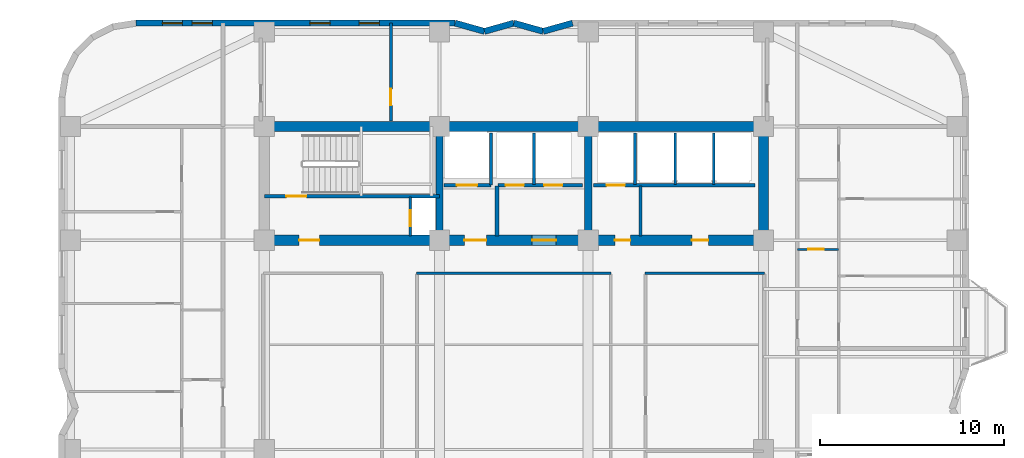
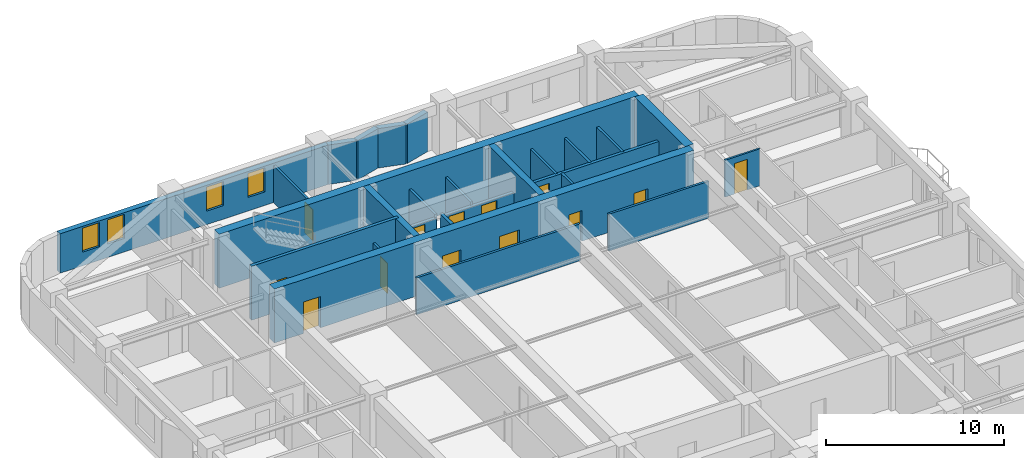
# One storey, part 6 of 9: 26 walls, 13 doors, 4 windows, 17 openings.
"""IFC4 building model written with IfcOpenShell, lengths in metres."""

import ifcopenshell
import ifcopenshell.guid

model = None  # the IFC model being written
_history = None  # IfcOwnerHistory: only IFC2X3 demands one
_inside = {}  # id of a spatial element -> (the spatial element, [elements in it])
_under = {}  # id of a project, library or spatial element -> (it, [spatial elements below it])
_declared = {}  # id of a project -> (the project, [libraries it declares])
_typed = {}  # id of a type object -> (the type object, [elements of that type])
_made_of = {}  # id of a material, layer set ... -> (it, [elements and type objects made of it])


def new_model(schema):
    """Start an empty IFC model of exactly this schema.

    Asked for "IFC4X3", IfcOpenShell would pick the latest addendum, in which some entities
    have other attributes; the version numbers below select the first issue.
    IFC2X3 requires an IfcOwnerHistory on every rooted entity: one is made here for all.
    """
    global model, _history
    if schema == "IFC4X3":
        model = ifcopenshell.file(schema_version=(4, 3, 0, 0))
    else:
        model = ifcopenshell.file(schema=schema)
    _inside.clear()
    _under.clear()
    _declared.clear()
    _typed.clear()
    _made_of.clear()
    _history = None
    if model.schema == "IFC2X3":
        org = make("IfcOrganization", Name="unknown")
        user = make(
            "IfcPersonAndOrganization",
            ThePerson=make("IfcPerson", FamilyName="unknown"),
            TheOrganization=org,
        )
        app = make(
            "IfcApplication",
            ApplicationDeveloper=org,
            Version="unknown",
            ApplicationFullName="unknown",
            ApplicationIdentifier="unknown",
        )
        _history = make(
            "IfcOwnerHistory",
            OwningUser=user,
            OwningApplication=app,
            ChangeAction="ADDED",
            CreationDate=0,
        )
    return model


def make(cls, **values):
    """One entity of the class cls with the attributes given. An attribute that is None is left unset."""
    return model.create_entity(
        cls, **{name: value for name, value in values.items() if value is not None}
    )


def rooted(cls, **values):
    """An entity with a GlobalId (a new one), such as an element, a storey or a relation."""
    return make(cls, GlobalId=ifcopenshell.guid.new(), OwnerHistory=_history, **values)


def si_unit(unit_type, name, prefix=None):
    """IfcSIUnit, for example si_unit("LENGTHUNIT", "METRE", prefix="MILLI")."""
    return make("IfcSIUnit", UnitType=unit_type, Prefix=prefix, Name=name)


def assignment(units):
    """IfcUnitAssignment: the units of a project."""
    return None if units is None else make("IfcUnitAssignment", Units=units)


def point(xyz):
    """IfcCartesianPoint."""
    return None if xyz is None else make("IfcCartesianPoint", Coordinates=xyz)


def direction(xyz):
    """IfcDirection."""
    return None if xyz is None else make("IfcDirection", DirectionRatios=xyz)


def frame(location, z_axis=None, x_axis=None):
    """IfcAxis2Placement3D, a coordinate frame: its origin and axes. An axis left out is left unset."""
    return make(
        "IfcAxis2Placement3D",
        Location=point(location),
        Axis=direction(z_axis),
        RefDirection=direction(x_axis),
    )


def frame_2d(location, x_axis=None):
    """IfcAxis2Placement2D, a coordinate frame in the plane: its origin and x axis."""
    return make(
        "IfcAxis2Placement2D", Location=point(location), RefDirection=direction(x_axis)
    )


def origin():
    """The frame at (0, 0, 0) with its axes left unset."""
    return frame((0.0, 0.0, 0.0))


def place(relative_to, where):
    """IfcLocalPlacement: puts the frame where relative to a parent placement (None: the world)."""
    return make(
        "IfcLocalPlacement", PlacementRelTo=relative_to, RelativePlacement=where
    )


def context(
    kind, dimensions, precision=None, world=None, true_north=None, identifier=None
):
    """IfcGeometricRepresentationContext, for example the 3D "Model" context."""
    return make(
        "IfcGeometricRepresentationContext",
        ContextIdentifier=identifier,
        ContextType=kind,
        CoordinateSpaceDimension=dimensions,
        Precision=precision,
        WorldCoordinateSystem=world,
        TrueNorth=true_north,
    )


def subcontext(parent, identifier, kind, view, scale=None):
    """IfcGeometricRepresentationSubContext, for example "Body" below "Model"."""
    return make(
        "IfcGeometricRepresentationSubContext",
        ContextIdentifier=identifier,
        ContextType=kind,
        ParentContext=parent,
        TargetScale=scale,
        TargetView=view,
    )


def project(units=None, contexts=None):
    """IfcProject with its units and contexts."""
    return rooted(
        "IfcProject",
        Name="project",
        RepresentationContexts=contexts,
        UnitsInContext=assignment(units),
    )


def spatial(cls, under=None, at=None, **own):
    """A site, building, storey or space (cls), placed at a placement, below another one or the project."""
    s = rooted(cls, ObjectPlacement=at, **own)
    if under is not None:
        _under.setdefault(under.id(), (under, []))[1].append(s)
    return s


def profile(cls, at=None, kind="AREA", **sizes):
    """A parametric profile (cls). Its sizes go by their IFC names, for example OverallWidth=200.0."""
    return make(cls, ProfileType=kind, Position=at, **sizes)


def rectangle(**sizes):
    """IfcRectangleProfileDef."""
    return profile("IfcRectangleProfileDef", **sizes)


def extrude(swept, where, along, depth):
    """IfcExtrudedAreaSolid: the profile swept, set in the frame where, extruded along a direction by depth."""
    return make(
        "IfcExtrudedAreaSolid",
        SweptArea=swept,
        Position=where,
        ExtrudedDirection=direction(along),
        Depth=depth,
    )


def shape(context_of_items, identifier, shape_type, items):
    """IfcShapeRepresentation: the items that make up one representation, for example the "Body"."""
    return make(
        "IfcShapeRepresentation",
        ContextOfItems=context_of_items,
        RepresentationIdentifier=identifier,
        RepresentationType=shape_type,
        Items=items,
    )


def material(Name=None, Category=None):
    """IfcMaterial."""
    return make("IfcMaterial", Name=Name, Category=Category)


def layer(
    of_material, thickness, ventilated=None, Name=None, Category=None, Priority=None
):
    """IfcMaterialLayer: one layer of a wall or slab, of a material (None: an air gap)."""
    return make(
        "IfcMaterialLayer",
        Material=of_material,
        LayerThickness=thickness,
        IsVentilated=ventilated,
        Name=Name,
        Category=Category,
        Priority=Priority,
    )


def layer_set(layers, Name=None):
    """IfcMaterialLayerSet."""
    return make("IfcMaterialLayerSet", MaterialLayers=layers, LayerSetName=Name)


def made_of(thing, what):
    """Note that an element or type object is made of a material, layer set ...; save() writes the relation."""
    if what is not None:
        _made_of.setdefault(what.id(), (what, []))[1].append(thing)
    return thing


def type_object(cls, material=None, **own):
    """A type object (cls), such as IfcWallType, which elements share."""
    return made_of(rooted(cls, **own), material)


def element(
    cls,
    number,
    at=None,
    inside=None,
    cuts=None,
    type_object=None,
    material=None,
    context=None,
    identifier="Body",
    shape_type=None,
    held_by="IfcProductDefinitionShape",
    body=None,
    shapes=None,
    **own,
):
    """One element of the class cls, such as IfcWall. Its Tag is "e" and its number.

    at: its placement. inside: the storey or other place that contains it. cuts: it is an
    opening in that element (IfcRelVoidsElement). A single representation is given by context,
    identifier, shape_type and body (its items); several are given by shapes. held_by: the class
    of the entity that holds the representations. save() writes the other relations.
    """
    e = rooted(cls, Tag="e%d" % number, ObjectPlacement=at, **own)
    if body is not None:
        shapes = [shape(context, identifier, shape_type, body)]
    if shapes is not None:
        e.Representation = make(held_by, Representations=shapes)
    if inside is not None:
        _inside.setdefault(inside.id(), (inside, []))[1].append(e)
    if cuts is not None:
        rooted(
            "IfcRelVoidsElement", RelatingBuildingElement=cuts, RelatedOpeningElement=e
        )
    if type_object is not None:
        _typed.setdefault(type_object.id(), (type_object, []))[1].append(e)
    return made_of(e, material)


def fill(opening, filler):
    """IfcRelFillsElement: the door or window that sits in an opening."""
    return rooted(
        "IfcRelFillsElement",
        RelatingOpeningElement=opening,
        RelatedBuildingElement=filler,
    )


def aggregate(whole, parts):
    """IfcRelAggregates: a whole, such as a stair, and the parts it consists of."""
    return rooted("IfcRelAggregates", RelatingObject=whole, RelatedObjects=parts)


def save(model, path):
    """Write the relations noted so far, then the file.

    IfcRelAggregates (storeys below a building ...), IfcRelContainedInSpatialStructure (elements
    in a storey), IfcRelDefinesByType, IfcRelAssociatesMaterial and IfcRelDeclares: one each for
    every whole, place, type object, material and project.
    """
    for whole, parts in _under.values():
        aggregate(whole, parts)
    for where, things in _inside.values():
        rooted(
            "IfcRelContainedInSpatialStructure",
            RelatedElements=things,
            RelatingStructure=where,
        )
    for kind, things in _typed.values():
        rooted("IfcRelDefinesByType", RelatedObjects=things, RelatingType=kind)
    for what, things in _made_of.values():
        rooted("IfcRelAssociatesMaterial", RelatedObjects=things, RelatingMaterial=what)
    for by, libraries in _declared.values():
        rooted("IfcRelDeclares", RelatingContext=by, RelatedDefinitions=libraries)
    model.write(path)


model = new_model("IFC4")

# Units and contexts
model_context = context("Model", 3, precision=1e-05, world=origin(), true_north=direction((0.0, 1.0)))
body_context = subcontext(model_context, "Body", "Model", "MODEL_VIEW")
ifc_project = project(units=[si_unit("LENGTHUNIT", "METRE"), si_unit("AREAUNIT", "SQUARE_METRE"), si_unit("VOLUMEUNIT", "CUBIC_METRE"), si_unit("PLANEANGLEUNIT", "RADIAN"), si_unit("MASSUNIT", "GRAM", prefix="KILO")], contexts=[model_context])

# Site, building, storey
site_placement = place(None, origin())
site = spatial("IfcSite", under=ifc_project, at=site_placement, CompositionType="ELEMENT")
building_placement = place(site_placement, origin())
building = spatial("IfcBuilding", under=site, at=building_placement, Name="Svetorya Sky Lyceum", CompositionType="ELEMENT")
storey_placement = place(building_placement, frame((0.0, 0.0, 121.60009765625)))
storey = spatial("IfcBuildingStorey", under=building, at=storey_placement, Name="L30", CompositionType="ELEMENT", Elevation=121.60009765625)

# Walls
ifc_material_1 = material(Name="Concrete C40/50", Category="concrete")
ifc_layer_1 = layer(ifc_material_1, 0.39990234375)
ifc_layer_set_1 = layer_set([ifc_layer_1], Name="Concrete C40/50")
wall_type_1 = type_object("IfcWallType", Name="WL-CORE-400", PredefinedType="SHEAR", material=ifc_layer_set_1)
for number, where, z_axis, x_axis, name in (
    (1, (35.14990234375, 39.875, 0.0), (0.0, 0.0, 1.0), (0.0, 1.0, 0.0), "L30 NC Internal Shear Web WEB1"),
    (2, (43.25, 39.875, 0.0), (0.0, 0.0, 1.0), (0.0, 1.0, 0.0), "L30 NC Internal Shear Web WEB2"),
):
    element("IfcWall", number, at=place(storey_placement, frame(where, z_axis=z_axis, x_axis=x_axis)), inside=storey, type_object=wall_type_1, Name=name, PredefinedType="SHEAR", context=body_context, shape_type="SweptSolid", body=[
        extrude(rectangle(XDim=5.64990234375, YDim=0.39990234375, at=frame_2d((2.824951171875, 0.0))), origin(), (0.0, 0.0, 1.0), 3.699951171875),
    ])
ifc_material_2 = material(Name="Concrete C60/75", Category="concrete")
ifc_layer_2 = layer(ifc_material_2, 0.550048828125)
ifc_layer_set_2 = layer_set([ifc_layer_2], Name="Concrete C60/75")
wall_type_2 = type_object("IfcWallType", Name="WL-CORE-550", PredefinedType="SHEAR", material=ifc_layer_set_2)
wall_1_placement = place(storey_placement, frame((25.60009765625, 45.800048828125, 0.0), z_axis=(0.0, 0.0, 1.0), x_axis=(1.0, 0.0, 0.0)))
element("IfcWall", 3, at=wall_1_placement, inside=storey, type_object=wall_type_2, Name="L30 NC Outer Core Shear Wall", PredefinedType="SHEAR", context=body_context, shape_type="SweptSolid", body=[
    extrude(rectangle(XDim=27.199951171875, YDim=0.550048828125, at=frame_2d((13.60009765625, 0.0))), origin(), (0.0, 0.0, 1.0), 3.699951171875),
])
wall_2_placement = place(storey_placement, frame((52.800048828125, 39.875, 0.0), z_axis=(0.0, 0.0, 1.0), x_axis=(0.0, 1.0, 0.0)))
element("IfcWall", 4, at=wall_2_placement, inside=storey, type_object=wall_type_2, Name="L30 NC East Core Shear Wall", PredefinedType="SHEAR", context=body_context, shape_type="SweptSolid", body=[
    extrude(rectangle(XDim=5.64990234375, YDim=0.550048828125, at=frame_2d((2.824951171875, 0.0))), origin(), (0.0, 0.0, 1.0), 3.699951171875),
])

# Wall, openings, doors
wall_3_placement = place(storey_placement, frame((52.800048828125, 39.60009765625, 0.0), z_axis=(0.0, 0.0, 1.0), x_axis=(-1.0, 0.0, 0.0)))
wall_3 = element("IfcWall", 5, at=wall_3_placement, inside=storey, type_object=wall_type_2, Name="L30 NC Inner Core Shear Wall", PredefinedType="SHEAR", context=body_context, shape_type="SweptSolid", body=[
    extrude(rectangle(XDim=27.199951171875, YDim=0.550048828125, at=frame_2d((13.60009765625, 0.0))), origin(), (0.0, 0.0, 1.0), 3.699951171875),
])
opening_1_placement = place(wall_3_placement, frame((24.199951171875, 0.0, 0.0)))
opening_1 = element("IfcOpeningElement", 6, at=opening_1_placement, cuts=wall_3, Name="Opening D-ST1", PredefinedType="OPENING", context=body_context, shape_type="SweptSolid", body=[
    extrude(rectangle(XDim=1.10009765625, YDim=2.14990234375, at=frame_2d((0.550048828125, 1.074951171875))), frame((0.0, 0.284912109375, 0.0), z_axis=(0.0, -1.0, 0.0), x_axis=(1.0, 0.0, 0.0)), (0.0, 0.0, 1.0), 0.570068359375),
])
opening_2_placement = place(wall_3_placement, frame((15.10009765625, 0.0, 0.0)))
opening_2 = element("IfcOpeningElement", 7, at=opening_2_placement, cuts=wall_3, Name="Opening D-FL1", PredefinedType="OPENING", context=body_context, shape_type="SweptSolid", body=[
    extrude(rectangle(XDim=1.199951171875, YDim=2.14990234375, at=frame_2d((0.60009765625, 1.074951171875))), frame((0.0, 0.284912109375, 0.0), z_axis=(0.0, -1.0, 0.0), x_axis=(1.0, 0.0, 0.0)), (0.0, 0.0, 1.0), 0.570068359375),
])
opening_3_placement = place(wall_3_placement, frame((11.300048828125, 0.0, 0.0)))
opening_3 = element("IfcOpeningElement", 8, at=opening_3_placement, cuts=wall_3, Name="Opening D-LB1", PredefinedType="OPENING", context=body_context, shape_type="SweptSolid", body=[
    extrude(rectangle(XDim=1.300048828125, YDim=2.199951171875, at=frame_2d((0.64990234375, 1.10009765625))), frame((0.0, 0.284912109375, 0.0), z_axis=(0.0, -1.0, 0.0), x_axis=(1.0, 0.0, 0.0)), (0.0, 0.0, 1.0), 0.570068359375),
])
opening_4_placement = place(wall_3_placement, frame((7.25, 0.0, 0.0)))
opening_4 = element("IfcOpeningElement", 9, at=opening_4_placement, cuts=wall_3, Name="Opening D-CWC1", PredefinedType="OPENING", context=body_context, shape_type="SweptSolid", body=[
    extrude(rectangle(XDim=0.85009765625, YDim=2.10009765625, at=frame_2d((0.425048828125, 1.050048828125))), frame((0.0, 0.284912109375, 0.0), z_axis=(0.0, -1.0, 0.0), x_axis=(1.0, 0.0, 0.0)), (0.0, 0.0, 1.0), 0.570068359375),
])
opening_5_placement = place(wall_3_placement, frame((3.0, 0.0, 0.0)))
opening_5 = element("IfcOpeningElement", 10, at=opening_5_placement, cuts=wall_3, Name="Opening D-RM1", PredefinedType="OPENING", context=body_context, shape_type="SweptSolid", body=[
    extrude(rectangle(XDim=0.89990234375, YDim=2.10009765625, at=frame_2d((0.449951171875, 1.050048828125))), frame((0.0, 0.284912109375, 0.0), z_axis=(0.0, -1.0, 0.0), x_axis=(1.0, 0.0, 0.0)), (0.0, 0.0, 1.0), 0.570068359375),
])
ifc_material_3 = material(Name="Fire-rated galvanized steel core service closet door", Category="steel")
door_type_1 = type_object("IfcDoorType", Name="DR-CWET-850", OperationType="SINGLE_SWING_LEFT", PredefinedType="DOOR", material=ifc_material_3)
door_1_placement = place(opening_4_placement, origin())
door_1 = element("IfcDoor", 11, at=door_1_placement, inside=storey, type_object=door_type_1, Name="L30 Mid-Rise Lift PM3 Lobby Door", OperationType="SINGLE_SWING_LEFT", OverallHeight=2.10009765625, OverallWidth=0.85009765625, PredefinedType="DOOR", context=body_context, shape_type="SweptSolid", body=[
    extrude(rectangle(XDim=0.85009765625, YDim=2.10009765625, at=frame_2d((0.425048828125, 1.050048828125))), frame((0.0, 0.02490234375, 0.0), z_axis=(0.0, -1.0, 0.0), x_axis=(1.0, 0.0, 0.0)), (0.0, 0.0, 1.0), 0.050048828125),
])
fill(opening_4, door_1)
ifc_material_4 = material(Name="Powder-coated insulated galvanized stair fire door")
door_type_2 = type_object("IfcDoorType", Name="DR-FIRE-1100", OperationType="SINGLE_SWING_LEFT", PredefinedType="DOOR", material=ifc_material_4)
door_2_placement = place(opening_1_placement, origin())
door_2 = element("IfcDoor", 12, at=door_2_placement, inside=storey, type_object=door_type_2, Name="L30 North Stair Airlock Door", OperationType="SINGLE_SWING_LEFT", OverallHeight=2.14990234375, OverallWidth=1.10009765625, PredefinedType="DOOR", context=body_context, shape_type="SweptSolid", body=[
    extrude(rectangle(XDim=1.10009765625, YDim=2.14990234375, at=frame_2d((0.550048828125, 1.074951171875))), frame((0.0, 0.02490234375, 0.0), z_axis=(0.0, -1.0, 0.0), x_axis=(1.0, 0.0, 0.0)), (0.0, 0.0, 1.0), 0.050048828125),
])
fill(opening_1, door_2)
ifc_material_5 = material(Name="Powder-coated insulated galvanized fire door")
door_type_3 = type_object("IfcDoorType", Name="DR-FIRE-1200", OperationType="SINGLE_SWING_LEFT", PredefinedType="DOOR", material=ifc_material_5)
door_3_placement = place(opening_2_placement, origin())
door_3 = element("IfcDoor", 13, at=door_3_placement, inside=storey, type_object=door_type_3, Name="L30 North Firefighting Lift Lobby Door", OperationType="SINGLE_SWING_RIGHT", OverallHeight=2.14990234375, OverallWidth=1.199951171875, PredefinedType="DOOR", context=body_context, shape_type="SweptSolid", body=[
    extrude(rectangle(XDim=1.199951171875, YDim=2.14990234375, at=frame_2d((0.60009765625, 1.074951171875))), frame((0.0, 0.02490234375, 0.0), z_axis=(0.0, -1.0, 0.0), x_axis=(1.0, 0.0, 0.0)), (0.0, 0.0, 1.0), 0.050048828125),
])
fill(opening_2, door_3)
ifc_material_6 = material(Name="Lacquered birch veneer internal door")
door_type_4 = type_object("IfcDoorType", Name="DR-INT-900", OperationType="SINGLE_SWING_LEFT", PredefinedType="DOOR", material=ifc_material_6)
door_4_placement = place(opening_5_placement, origin())
door_4 = element("IfcDoor", 14, at=door_4_placement, inside=storey, type_object=door_type_4, Name="L30 Mid-Rise Store Door", OperationType="SINGLE_SWING_RIGHT", OverallHeight=2.10009765625, OverallWidth=0.89990234375, PredefinedType="DOOR", context=body_context, shape_type="SweptSolid", body=[
    extrude(rectangle(XDim=0.89990234375, YDim=2.10009765625, at=frame_2d((0.449951171875, 1.050048828125))), frame((0.0, 0.02490234375, 0.0), z_axis=(0.0, -1.0, 0.0), x_axis=(1.0, 0.0, 0.0)), (0.0, 0.0, 1.0), 0.050048828125),
])
fill(opening_5, door_4)
ifc_material_7 = material(Name="Glazed fire-rated aluminium lobby door", Category="aluminium")
door_type_5 = type_object("IfcDoorType", Name="DR-LOB-1300", OperationType="SINGLE_SWING_LEFT", PredefinedType="DOOR", material=ifc_material_7)
door_5_placement = place(opening_3_placement, origin())
door_5 = element("IfcDoor", 15, at=door_5_placement, inside=storey, type_object=door_type_5, Name="L30 Mid-Rise Lift Lobby West Door", OperationType="SINGLE_SWING_LEFT", OverallHeight=2.199951171875, OverallWidth=1.300048828125, PredefinedType="DOOR", context=body_context, shape_type="SweptSolid", body=[
    extrude(rectangle(XDim=1.300048828125, YDim=2.199951171875, at=frame_2d((0.64990234375, 1.10009765625))), frame((0.0, 0.02490234375, 0.0), z_axis=(0.0, -1.0, 0.0), x_axis=(1.0, 0.0, 0.0)), (0.0, 0.0, 1.0), 0.050048828125),
])
fill(opening_3, door_5)

# Walls
ifc_material_8 = material(Name="Putilovo limestone rainscreen on autoclaved cellular masonry", Category="masonry")
ifc_layer_3 = layer(ifc_material_8, 0.340087890625)
ifc_layer_set_3 = layer_set([ifc_layer_3], Name="Putilovo limestone rainscreen on autoclaved cellular masonry")
wall_type_3 = type_object("IfcWallType", Name="WL-EXT-340", PredefinedType="SOLIDWALL", material=ifc_layer_set_3)
wall_4_placement = place(storey_placement, frame((42.39990234375, 51.429931640625, 0.0), z_axis=(0.0, 0.0, 1.0), x_axis=(-0.962652136636, -0.270741322725, 0.0)))
element("IfcWall", 16, at=wall_4_placement, inside=storey, type_object=wall_type_3, Name="L30 Limestone Exterior Wall 30M", PredefinedType="SOLIDWALL", context=body_context, shape_type="SweptSolid", body=[
    extrude(rectangle(XDim=1.661865234375, YDim=0.340087890625, at=frame_2d((0.8310546875, 0.0))), origin(), (0.0, 0.0, 1.0), 2.699951171875),
])
wall_5_placement = place(storey_placement, frame((40.800048828125, 50.97998046875, 0.0), z_axis=(0.0, 0.0, 1.0), x_axis=(-0.962662902433, 0.270703040766, 0.0)))
element("IfcWall", 17, at=wall_5_placement, inside=storey, type_object=wall_type_3, Name="L30 Limestone Exterior Wall 31M", PredefinedType="SOLIDWALL", context=body_context, shape_type="SweptSolid", body=[
    extrude(rectangle(XDim=1.662109375, YDim=0.340087890625, at=frame_2d((0.8310546875, 0.0))), origin(), (0.0, 0.0, 1.0), 2.699951171875),
])
wall_6_placement = place(storey_placement, frame((39.199951171875, 51.429931640625, 0.0), z_axis=(0.0, 0.0, 1.0), x_axis=(-0.962652136636, -0.270741322725, 0.0)))
element("IfcWall", 18, at=wall_6_placement, inside=storey, type_object=wall_type_3, Name="L30 Limestone Exterior Wall 32M", PredefinedType="SOLIDWALL", context=body_context, shape_type="SweptSolid", body=[
    extrude(rectangle(XDim=1.661865234375, YDim=0.340087890625, at=frame_2d((0.8310546875, 0.0))), origin(), (0.0, 0.0, 1.0), 2.699951171875),
])
wall_7_placement = place(storey_placement, frame((37.60009765625, 50.97998046875, 0.0), z_axis=(0.0, 0.0, 1.0), x_axis=(-0.962662902433, 0.270703040766, 0.0)))
element("IfcWall", 19, at=wall_7_placement, inside=storey, type_object=wall_type_3, Name="L30 Limestone Exterior Wall 33M", PredefinedType="SOLIDWALL", context=body_context, shape_type="SweptSolid", body=[
    extrude(rectangle(XDim=1.662109375, YDim=0.340087890625, at=frame_2d((0.8310546875, 0.0))), origin(), (0.0, 0.0, 1.0), 2.699951171875),
])

# Wall, openings, windows
wall_8_placement = place(storey_placement, frame((36.0, 51.429931640625, 0.0), z_axis=(0.0, 0.0, 1.0), x_axis=(-1.0, 0.0, 0.0)))
wall_8 = element("IfcWall", 20, at=wall_8_placement, inside=storey, type_object=wall_type_3, Name="L30 Limestone Exterior Wall 34M", PredefinedType="SOLIDWALL", context=body_context, shape_type="SweptSolid", body=[
    extrude(rectangle(XDim=17.39990234375, YDim=0.340087890625, at=frame_2d((8.699951171875, 0.0))), origin(), (0.0, 0.0, 1.0), 2.699951171875),
])
opening_6_placement = place(wall_8_placement, frame((4.125, 0.0, 0.929931640625)))
opening_6 = element("IfcOpeningElement", 21, at=opening_6_placement, cuts=wall_8, Name="Opening W-R3", PredefinedType="OPENING", context=body_context, shape_type="SweptSolid", body=[
    extrude(rectangle(XDim=1.10009765625, YDim=1.64990234375, at=frame_2d((0.550048828125, 0.824951171875))), frame((0.0, 0.179931640625, 0.0), z_axis=(0.0, -1.0, 0.0), x_axis=(1.0, 0.0, 0.0)), (0.0, 0.0, 1.0), 0.360107421875),
])
opening_7_placement = place(wall_8_placement, frame((6.808349609375, 0.0, 0.929931640625)))
opening_7 = element("IfcOpeningElement", 22, at=opening_7_placement, cuts=wall_8, Name="Opening W-R3", PredefinedType="OPENING", context=body_context, shape_type="SweptSolid", body=[
    extrude(rectangle(XDim=1.10009765625, YDim=1.64990234375, at=frame_2d((0.550048828125, 0.824951171875))), frame((0.0, 0.179931640625, 0.0), z_axis=(0.0, -1.0, 0.0), x_axis=(1.0, 0.0, 0.0)), (0.0, 0.0, 1.0), 0.360107421875),
])
opening_8_placement = place(wall_8_placement, frame((13.22509765625, 0.0, 0.929931640625)))
opening_8 = element("IfcOpeningElement", 23, at=opening_8_placement, cuts=wall_8, Name="Opening W-R3", PredefinedType="OPENING", context=body_context, shape_type="SweptSolid", body=[
    extrude(rectangle(XDim=1.10009765625, YDim=1.64990234375, at=frame_2d((0.550048828125, 0.824951171875))), frame((0.0, 0.179931640625, 0.0), z_axis=(0.0, -1.0, 0.0), x_axis=(1.0, 0.0, 0.0)), (0.0, 0.0, 1.0), 0.360107421875),
])
opening_9_placement = place(wall_8_placement, frame((14.8583984375, 0.0, 0.929931640625)))
opening_9 = element("IfcOpeningElement", 24, at=opening_9_placement, cuts=wall_8, Name="Opening W-R3", PredefinedType="OPENING", context=body_context, shape_type="SweptSolid", body=[
    extrude(rectangle(XDim=1.10009765625, YDim=1.64990234375, at=frame_2d((0.550048828125, 0.824951171875))), frame((0.0, 0.179931640625, 0.0), z_axis=(0.0, -1.0, 0.0), x_axis=(1.0, 0.0, 0.0)), (0.0, 0.0, 1.0), 0.360107421875),
])
ifc_material_9 = material(Name="Thermally broken aluminium frame with triple low-E glazing", Category="aluminium")
window_type = type_object("IfcWindowType", Name="WN-RES-110", PartitioningType="SINGLE_PANEL", PredefinedType="WINDOW", material=ifc_material_9)
window_1_placement = place(opening_6_placement, origin())
window_1 = element("IfcWindow", 25, at=window_1_placement, inside=storey, type_object=window_type, Name="L30 Facade Window W-R3.34M.1", OverallHeight=1.64990234375, OverallWidth=1.10009765625, PartitioningType="SINGLE_PANEL", PredefinedType="WINDOW", context=body_context, shape_type="SweptSolid", body=[
    extrude(rectangle(XDim=1.10009765625, YDim=1.64990234375, at=frame_2d((0.550048828125, 0.824951171875))), frame((0.0, 0.030029296875, 0.0), z_axis=(0.0, -1.0, 0.0), x_axis=(1.0, 0.0, 0.0)), (0.0, 0.0, 1.0), 0.06005859375),
])
fill(opening_6, window_1)
window_2_placement = place(opening_7_placement, origin())
window_2 = element("IfcWindow", 26, at=window_2_placement, inside=storey, type_object=window_type, Name="L30 Facade Window W-R3.34M.2", OverallHeight=1.64990234375, OverallWidth=1.10009765625, PartitioningType="SINGLE_PANEL", PredefinedType="WINDOW", context=body_context, shape_type="SweptSolid", body=[
    extrude(rectangle(XDim=1.10009765625, YDim=1.64990234375, at=frame_2d((0.550048828125, 0.824951171875))), frame((0.0, 0.030029296875, 0.0), z_axis=(0.0, -1.0, 0.0), x_axis=(1.0, 0.0, 0.0)), (0.0, 0.0, 1.0), 0.06005859375),
])
fill(opening_7, window_2)
window_3_placement = place(opening_8_placement, origin())
window_3 = element("IfcWindow", 27, at=window_3_placement, inside=storey, type_object=window_type, Name="L30 Facade Window W-R3.34M.3", OverallHeight=1.64990234375, OverallWidth=1.10009765625, PartitioningType="SINGLE_PANEL", PredefinedType="WINDOW", context=body_context, shape_type="SweptSolid", body=[
    extrude(rectangle(XDim=1.10009765625, YDim=1.64990234375, at=frame_2d((0.550048828125, 0.824951171875))), frame((0.0, 0.030029296875, 0.0), z_axis=(0.0, -1.0, 0.0), x_axis=(1.0, 0.0, 0.0)), (0.0, 0.0, 1.0), 0.06005859375),
])
fill(opening_8, window_3)
window_4_placement = place(opening_9_placement, origin())
window_4 = element("IfcWindow", 28, at=window_4_placement, inside=storey, type_object=window_type, Name="L30 Facade Window W-R3.34M.4", OverallHeight=1.64990234375, OverallWidth=1.10009765625, PartitioningType="SINGLE_PANEL", PredefinedType="WINDOW", context=body_context, shape_type="SweptSolid", body=[
    extrude(rectangle(XDim=1.10009765625, YDim=1.64990234375, at=frame_2d((0.550048828125, 0.824951171875))), frame((0.0, 0.030029296875, 0.0), z_axis=(0.0, -1.0, 0.0), x_axis=(1.0, 0.0, 0.0)), (0.0, 0.0, 1.0), 0.06005859375),
])
fill(opening_9, window_4)

# Wall, opening, door
ifc_material_10 = material(Name="Twin-stud galvanized framing with double fireboard", Category="gypsum")
ifc_layer_4 = layer(ifc_material_10, 0.1201171875)
ifc_layer_set_4 = layer_set([ifc_layer_4], Name="Twin-stud galvanized framing with double fireboard")
wall_type_4 = type_object("IfcWallType", Name="WL-PART-120", PredefinedType="PARTITIONING", material=ifc_layer_set_4)
wall_9_placement = place(storey_placement, frame((54.64990234375, 39.10009765625, 0.0), z_axis=(0.0, 0.0, 1.0), x_axis=(1.0, 0.0, 0.0)))
wall_9 = element("IfcWall", 29, at=wall_9_placement, inside=storey, type_object=wall_type_4, Name="L30 Interior Partition E3-WH1", PredefinedType="PARTITIONING", context=body_context, shape_type="SweptSolid", body=[
    extrude(rectangle(XDim=2.25, YDim=0.1201171875, at=frame_2d((1.125, 0.0))), origin(), (0.0, 0.0, 1.0), 2.52978515625),
])
opening_10_placement = place(wall_9_placement, frame((0.60009765625, 0.0, 0.0)))
opening_10 = element("IfcOpeningElement", 30, at=opening_10_placement, cuts=wall_9, Name="Opening D-BT1", PredefinedType="OPENING", context=body_context, shape_type="SweptSolid", body=[
    extrude(rectangle(XDim=0.85009765625, YDim=2.10009765625, at=frame_2d((0.425048828125, 1.050048828125))), frame((0.0, 0.070068359375, 0.0), z_axis=(0.0, -1.0, 0.0), x_axis=(1.0, 0.0, 0.0)), (0.0, 0.0, 1.0), 0.14013671875),
])
ifc_material_11 = material(Name="Moisture-resistant laminate bathroom door")
door_type_6 = type_object("IfcDoorType", Name="DR-WET-850", OperationType="SINGLE_SWING_LEFT", PredefinedType="DOOR", material=ifc_material_11)
door_6_placement = place(opening_10_placement, origin())
door_6 = element("IfcDoor", 31, at=door_6_placement, inside=storey, type_object=door_type_6, Name="Apartment E3 Bathroom Door", OperationType="SINGLE_SWING_RIGHT", OverallHeight=2.10009765625, OverallWidth=0.85009765625, PredefinedType="DOOR", context=body_context, shape_type="SweptSolid", body=[
    extrude(rectangle(XDim=0.85009765625, YDim=2.10009765625, at=frame_2d((0.425048828125, 1.050048828125))), frame((0.0, 0.02490234375, 0.0), z_axis=(0.0, -1.0, 0.0), x_axis=(1.0, 0.0, 0.0)), (0.0, 0.0, 1.0), 0.050048828125),
])
fill(opening_10, door_6)

ifc_material_12 = material(Name="Autoclaved cellular masonry blockwork with acoustic render", Category="masonry")
ifc_layer_5 = layer(ifc_material_12, 0.14990234375)
ifc_layer_set_5 = layer_set([ifc_layer_5], Name="Autoclaved cellular masonry blockwork with acoustic render")
wall_type_5 = type_object("IfcWallType", Name="WL-PART-150", PredefinedType="PARTITIONING", material=ifc_layer_set_5)
wall_10_placement = place(storey_placement, frame((33.550048828125, 39.820068359375, 0.0), z_axis=(0.0, 0.0, 1.0), x_axis=(0.0, 1.0, 0.0)))
wall_10 = element("IfcWall", 32, at=wall_10_placement, inside=storey, type_object=wall_type_5, Name="L30 Interior Partition NC-RSRW", PredefinedType="PARTITIONING", context=body_context, shape_type="SweptSolid", body=[
    extrude(rectangle(XDim=2.1298828125, YDim=0.14990234375, at=frame_2d((1.06494140625, 0.0))), origin(), (0.0, 0.0, 1.0), 2.52978515625),
])
opening_11_placement = place(wall_10_placement, frame((0.550048828125, 0.0, 0.0)))
opening_11 = element("IfcOpeningElement", 33, at=opening_11_placement, cuts=wall_10, Name="Opening D-SH1", PredefinedType="OPENING", context=body_context, shape_type="SweptSolid", body=[
    extrude(rectangle(XDim=0.85009765625, YDim=2.050048828125, at=frame_2d((0.425048828125, 1.02490234375))), frame((0.0, 0.0849609375, 0.0), z_axis=(0.0, -1.0, 0.0), x_axis=(1.0, 0.0, 0.0)), (0.0, 0.0, 1.0), 0.169921875),
])
ifc_material_13 = material(Name="Insulated galvanized riser inspection fire door")
door_type_7 = type_object("IfcDoorType", Name="DR-SHFT-850", OperationType="SINGLE_SWING_LEFT", PredefinedType="TRAPDOOR", material=ifc_material_13)
door_7_placement = place(opening_11_placement, origin())
door_7 = element("IfcDoor", 34, at=door_7_placement, inside=storey, type_object=door_type_7, Name="L30 North Riser Access Door", OperationType="SINGLE_SWING_LEFT", OverallHeight=2.050048828125, OverallWidth=0.85009765625, PredefinedType="TRAPDOOR", context=body_context, shape_type="SweptSolid", body=[
    extrude(rectangle(XDim=0.85009765625, YDim=2.050048828125, at=frame_2d((0.425048828125, 1.02490234375))), frame((0.0, 0.02490234375, 0.0), z_axis=(0.0, -1.0, 0.0), x_axis=(1.0, 0.0, 0.0)), (0.0, 0.0, 1.0), 0.050048828125),
])
fill(opening_11, door_7)

# Walls
wall_11_placement = place(storey_placement, frame((37.949951171875, 42.60009765625, 0.0), z_axis=(0.0, 0.0, 1.0), x_axis=(0.0, 1.0, 0.0)))
element("IfcWall", 35, at=wall_11_placement, inside=storey, type_object=wall_type_5, Name="L30 Interior Partition NC-FL1SIDE", PredefinedType="PARTITIONING", context=body_context, shape_type="SweptSolid", body=[
    extrude(rectangle(XDim=2.849853515625, YDim=0.14990234375, at=frame_2d((1.4248046875, 0.0))), origin(), (0.0, 0.0, 1.0), 2.52978515625),
])
for number, where, z_axis, x_axis, name in (
    (36, (40.300048828125, 42.64990234375, 0.0), (0.0, 0.0, 1.0), (0.0, 1.0, 0.0), "L30 Interior Partition NC-PM-D1"),
    (37, (45.800048828125, 42.64990234375, 0.0), (0.0, 0.0, 1.0), (0.0, 1.0, 0.0), "L30 Interior Partition NC-PM3-D"),
    (38, (48.0, 42.64990234375, 0.0), (0.0, 0.0, 1.0), (0.0, 1.0, 0.0), "L30 Interior Partition NC-PH-D1"),
    (39, (50.10009765625, 42.64990234375, 0.0), (0.0, 0.0, 1.0), (0.0, 1.0, 0.0), "L30 Interior Partition NC-PH-D2"),
):
    element("IfcWall", number, at=place(storey_placement, frame(where, z_axis=z_axis, x_axis=x_axis)), inside=storey, type_object=wall_type_5, Name=name, PredefinedType="PARTITIONING", context=body_context, shape_type="SweptSolid", body=[
        extrude(rectangle(XDim=2.800048828125, YDim=0.14990234375, at=frame_2d((1.39990234375, 0.0))), origin(), (0.0, 0.0, 1.0), 2.52978515625),
    ])
wall_12_placement = place(storey_placement, frame((46.10009765625, 39.820068359375, 0.0), z_axis=(0.0, 0.0, 1.0), x_axis=(0.0, 1.0, 0.0)))
element("IfcWall", 40, at=wall_12_placement, inside=storey, type_object=wall_type_5, Name="L30 Interior Partition NC-PM3SEP", PredefinedType="PARTITIONING", context=body_context, shape_type="SweptSolid", body=[
    extrude(rectangle(XDim=2.72998046875, YDim=0.14990234375, at=frame_2d((1.364990234375, 0.0))), origin(), (0.0, 0.0, 1.0), 2.52978515625),
])
wall_13_placement = place(storey_placement, frame((33.89990234375, 37.800048828125, 0.0), z_axis=(0.0, 0.0, 1.0), x_axis=(1.0, 0.0, 0.0)))
element("IfcWall", 41, at=wall_13_placement, inside=storey, type_object=wall_type_5, Name="L30 Interior Partition RL-CN-M", PredefinedType="PARTITIONING", context=body_context, shape_type="SweptSolid", body=[
    extrude(rectangle(XDim=10.60009765625, YDim=0.14990234375, at=frame_2d((5.300048828125, 0.0))), origin(), (0.0, 0.0, 1.0), 2.52978515625),
])
wall_14_placement = place(storey_placement, frame((46.35009765625, 37.800048828125, 0.0), z_axis=(0.0, 0.0, 1.0), x_axis=(1.0, 0.0, 0.0)))
element("IfcWall", 42, at=wall_14_placement, inside=storey, type_object=wall_type_5, Name="L30 Interior Partition RL-CN-E", PredefinedType="PARTITIONING", context=body_context, shape_type="SweptSolid", body=[
    extrude(rectangle(XDim=6.5, YDim=0.14990234375, at=frame_2d((3.25, 0.0))), origin(), (0.0, 0.0, 1.0), 2.52978515625),
])

# Wall, opening, door
wall_15_placement = place(storey_placement, frame((32.5, 46.10009765625, 0.0), z_axis=(0.0, 0.0, 1.0), x_axis=(0.0, 1.0, 0.0)))
wall_15 = element("IfcWall", 43, at=wall_15_placement, inside=storey, type_object=wall_type_5, Name="L30 Interior Partition N-D1", PredefinedType="PARTITIONING", context=body_context, shape_type="SweptSolid", body=[
    extrude(rectangle(XDim=5.329833984375, YDim=0.14990234375, at=frame_2d((2.6650390625, 0.0))), origin(), (0.0, 0.0, 1.0), 2.52978515625),
])
opening_12_placement = place(wall_15_placement, frame((0.85009765625, 0.0, 0.0)))
opening_12 = element("IfcOpeningElement", 44, at=opening_12_placement, cuts=wall_15, Name="Opening D-RM1", PredefinedType="OPENING", context=body_context, shape_type="SweptSolid", body=[
    extrude(rectangle(XDim=0.89990234375, YDim=2.10009765625, at=frame_2d((0.449951171875, 1.050048828125))), frame((0.0, 0.0849609375, 0.0), z_axis=(0.0, -1.0, 0.0), x_axis=(1.0, 0.0, 0.0)), (0.0, 0.0, 1.0), 0.169921875),
])
door_8_placement = place(opening_12_placement, origin())
door_8 = element("IfcDoor", 45, at=door_8_placement, inside=storey, type_object=door_type_4, Name="L30 North Store Door", OperationType="SINGLE_SWING_RIGHT", OverallHeight=2.10009765625, OverallWidth=0.89990234375, PredefinedType="DOOR", context=body_context, shape_type="SweptSolid", body=[
    extrude(rectangle(XDim=0.89990234375, YDim=2.10009765625, at=frame_2d((0.449951171875, 1.050048828125))), frame((0.0, 0.02490234375, 0.0), z_axis=(0.0, -1.0, 0.0), x_axis=(1.0, 0.0, 0.0)), (0.0, 0.0, 1.0), 0.050048828125),
])
fill(opening_12, door_8)

ifc_material_14 = material(Name="Autoclaved cellular masonry blockwork with gypsum plaster", Category="masonry")
ifc_layer_6 = layer(ifc_material_14, 0.199951171875)
ifc_layer_set_6 = layer_set([ifc_layer_6], Name="Autoclaved cellular masonry blockwork with gypsum plaster")
wall_type_6 = type_object("IfcWallType", Name="WL-PART-200", PredefinedType="PARTITIONING", material=ifc_layer_set_6)
wall_16_placement = place(storey_placement, frame((37.949951171875, 42.60009765625, 0.0), z_axis=(0.0, 0.0, 1.0), x_axis=(-1.0, 0.0, 0.0)))
wall_16 = element("IfcWall", 46, at=wall_16_placement, inside=storey, type_object=wall_type_6, Name="L30 Interior Partition NC-FL1W", PredefinedType="PARTITIONING", context=body_context, shape_type="SweptSolid", body=[
    extrude(rectangle(XDim=2.550048828125, YDim=0.199951171875, at=frame_2d((1.27490234375, 0.0))), origin(), (0.0, 0.0, 1.0), 2.2998046875),
])
opening_13_placement = place(wall_16_placement, frame((0.75, 0.0, 0.0)))
opening_13 = element("IfcOpeningElement", 47, at=opening_13_placement, cuts=wall_16, Name="Opening LD-FL", PredefinedType="OPENING", context=body_context, shape_type="SweptSolid", body=[
    extrude(rectangle(XDim=1.10009765625, YDim=2.14990234375, at=frame_2d((0.550048828125, 1.074951171875))), frame((0.0, 0.10986328125, 0.0), z_axis=(0.0, -1.0, 0.0), x_axis=(1.0, 0.0, 0.0)), (0.0, 0.0, 1.0), 0.219970703125),
])
ifc_material_15 = material(Name="Fire-rated stainless AISI 304 firefighting lift landing door")
door_type_8 = type_object("IfcDoorType", Name="DR-LIFT-1100", OperationType="SLIDING_TO_LEFT", PredefinedType="DOOR", material=ifc_material_15)
door_9_placement = place(opening_13_placement, origin())
door_9 = element("IfcDoor", 48, at=door_9_placement, inside=storey, type_object=door_type_8, Name="L30 Firefighting Lift FL1 Landing Door", OperationType="SLIDING_TO_LEFT", OverallHeight=2.14990234375, OverallWidth=1.10009765625, PredefinedType="DOOR", context=body_context, shape_type="SweptSolid", body=[
    extrude(rectangle(XDim=1.10009765625, YDim=2.14990234375, at=frame_2d((0.550048828125, 1.074951171875))), frame((0.0, 0.02490234375, 0.0), z_axis=(0.0, -1.0, 0.0), x_axis=(1.0, 0.0, 0.0)), (0.0, 0.0, 1.0), 0.050048828125),
])
fill(opening_13, door_9)

# Wall
wall_17_placement = place(storey_placement, frame((38.280029296875, 39.820068359375, 0.0), z_axis=(0.0, 0.0, 1.0), x_axis=(0.0, 1.0, 0.0)))
element("IfcWall", 49, at=wall_17_placement, inside=storey, type_object=wall_type_6, Name="L30 Interior Partition NC-FFLDIV", PredefinedType="PARTITIONING", context=body_context, shape_type="SweptSolid", body=[
    extrude(rectangle(XDim=2.72998046875, YDim=0.199951171875, at=frame_2d((1.364990234375, 0.0))), origin(), (0.0, 0.0, 1.0), 2.52978515625),
])

# Wall, openings, doors
wall_18_placement = place(storey_placement, frame((42.949951171875, 42.60009765625, 0.0), z_axis=(0.0, 0.0, 1.0), x_axis=(-1.0, 0.0, 0.0)))
wall_18 = element("IfcWall", 50, at=wall_18_placement, inside=storey, type_object=wall_type_6, Name="L30 Interior Partition NC-PM12W", PredefinedType="PARTITIONING", context=body_context, shape_type="SweptSolid", body=[
    extrude(rectangle(XDim=4.599853515625, YDim=0.199951171875, at=frame_2d((2.2998046875, 0.0))), origin(), (0.0, 0.0, 1.0), 2.2998046875),
])
opening_14_placement = place(wall_18_placement, frame((3.199951171875, 0.0, 0.0)))
opening_14 = element("IfcOpeningElement", 51, at=opening_14_placement, cuts=wall_18, Name="Opening LD-P1", PredefinedType="OPENING", context=body_context, shape_type="SweptSolid", body=[
    extrude(rectangle(XDim=1.0, YDim=2.14990234375, at=frame_2d((0.5, 1.074951171875))), frame((0.0, 0.10986328125, 0.0), z_axis=(0.0, -1.0, 0.0), x_axis=(1.0, 0.0, 0.0)), (0.0, 0.0, 1.0), 0.219970703125),
])
opening_15_placement = place(wall_18_placement, frame((1.10009765625, 0.0, 0.0)))
opening_15 = element("IfcOpeningElement", 52, at=opening_15_placement, cuts=wall_18, Name="Opening LD-P1", PredefinedType="OPENING", context=body_context, shape_type="SweptSolid", body=[
    extrude(rectangle(XDim=1.0, YDim=2.14990234375, at=frame_2d((0.5, 1.074951171875))), frame((0.0, 0.10986328125, 0.0), z_axis=(0.0, -1.0, 0.0), x_axis=(1.0, 0.0, 0.0)), (0.0, 0.0, 1.0), 0.219970703125),
])
ifc_material_16 = material(Name="Champagne-anodized stainless passenger lift landing door")
door_type_9 = type_object("IfcDoorType", Name="DR-LIFT-1000", OperationType="SLIDING_TO_LEFT", PredefinedType="DOOR", material=ifc_material_16)
door_10_placement = place(opening_14_placement, origin())
door_10 = element("IfcDoor", 53, at=door_10_placement, inside=storey, type_object=door_type_9, Name="L30 Passenger Lift PM1 Landing Door", OperationType="SLIDING_TO_LEFT", OverallHeight=2.14990234375, OverallWidth=1.0, PredefinedType="DOOR", context=body_context, shape_type="SweptSolid", body=[
    extrude(rectangle(XDim=1.0, YDim=2.14990234375, at=frame_2d((0.5, 1.074951171875))), frame((0.0, 0.02490234375, 0.0), z_axis=(0.0, -1.0, 0.0), x_axis=(1.0, 0.0, 0.0)), (0.0, 0.0, 1.0), 0.050048828125),
])
fill(opening_14, door_10)
door_11_placement = place(opening_15_placement, origin())
door_11 = element("IfcDoor", 54, at=door_11_placement, inside=storey, type_object=door_type_9, Name="L30 Passenger Lift PM2 Landing Door", OperationType="SLIDING_TO_LEFT", OverallHeight=2.14990234375, OverallWidth=1.0, PredefinedType="DOOR", context=body_context, shape_type="SweptSolid", body=[
    extrude(rectangle(XDim=1.0, YDim=2.14990234375, at=frame_2d((0.5, 1.074951171875))), frame((0.0, 0.02490234375, 0.0), z_axis=(0.0, -1.0, 0.0), x_axis=(1.0, 0.0, 0.0)), (0.0, 0.0, 1.0), 0.050048828125),
])
fill(opening_15, door_11)

# Wall, opening, door
wall_19_placement = place(storey_placement, frame((52.35009765625, 42.60009765625, 0.0), z_axis=(0.0, 0.0, 1.0), x_axis=(-1.0, 0.0, 0.0)))
wall_19 = element("IfcWall", 55, at=wall_19_placement, inside=storey, type_object=wall_type_6, Name="L30 Interior Partition NC-PHEW", PredefinedType="PARTITIONING", context=body_context, shape_type="SweptSolid", body=[
    extrude(rectangle(XDim=8.800048828125, YDim=0.199951171875, at=frame_2d((4.39990234375, 0.0))), origin(), (0.0, 0.0, 1.0), 2.52978515625),
])
opening_16_placement = place(wall_19_placement, frame((7.10009765625, 0.0, 0.0)))
opening_16 = element("IfcOpeningElement", 56, at=opening_16_placement, cuts=wall_19, Name="Opening LD-P1", PredefinedType="OPENING", context=body_context, shape_type="SweptSolid", body=[
    extrude(rectangle(XDim=1.0, YDim=2.14990234375, at=frame_2d((0.5, 1.074951171875))), frame((0.0, 0.10986328125, 0.0), z_axis=(0.0, -1.0, 0.0), x_axis=(1.0, 0.0, 0.0)), (0.0, 0.0, 1.0), 0.219970703125),
])
door_12_placement = place(opening_16_placement, origin())
door_12 = element("IfcDoor", 57, at=door_12_placement, inside=storey, type_object=door_type_9, Name="L30 Passenger Lift PM3 Landing Door", OperationType="SLIDING_TO_LEFT", OverallHeight=2.14990234375, OverallWidth=1.0, PredefinedType="DOOR", context=body_context, shape_type="SweptSolid", body=[
    extrude(rectangle(XDim=1.0, YDim=2.14990234375, at=frame_2d((0.5, 1.074951171875))), frame((0.0, 0.02490234375, 0.0), z_axis=(0.0, -1.0, 0.0), x_axis=(1.0, 0.0, 0.0)), (0.0, 0.0, 1.0), 0.050048828125),
])
fill(opening_16, door_12)

ifc_material_17 = material(Name="Concrete C50/60", Category="concrete")
ifc_layer_7 = layer(ifc_material_17, 0.199951171875)
ifc_layer_set_7 = layer_set([ifc_layer_7], Name="Concrete C50/60")
wall_type_7 = type_object("IfcWallType", Name="WL-SHW-200", PredefinedType="SHEAR", material=ifc_layer_set_7)
wall_20_placement = place(storey_placement, frame((35.14990234375, 42.0, 0.0), z_axis=(0.0, 0.0, 1.0), x_axis=(-1.0, 0.0, 0.0)))
wall_20 = element("IfcWall", 58, at=wall_20_placement, inside=storey, type_object=wall_type_7, Name="L30 Structural Stair Shaft Wall NC-STW", PredefinedType="SHEAR", context=body_context, shape_type="SweptSolid", body=[
    extrude(rectangle(XDim=9.5498046875, YDim=0.199951171875, at=frame_2d((4.77490234375, 0.0))), origin(), (0.0, 0.0, 1.0), 3.699951171875),
])
opening_17_placement = place(wall_20_placement, frame((7.25, 0.0, 0.0)))
opening_17 = element("IfcOpeningElement", 59, at=opening_17_placement, cuts=wall_20, Name="Opening D-ST1", PredefinedType="OPENING", context=body_context, shape_type="SweptSolid", body=[
    extrude(rectangle(XDim=1.10009765625, YDim=2.14990234375, at=frame_2d((0.550048828125, 1.074951171875))), frame((0.0, 0.10986328125, 0.0), z_axis=(0.0, -1.0, 0.0), x_axis=(1.0, 0.0, 0.0)), (0.0, 0.0, 1.0), 0.219970703125),
])
door_13_placement = place(opening_17_placement, origin())
door_13 = element("IfcDoor", 60, at=door_13_placement, inside=storey, type_object=door_type_2, Name="L30 Stair ST-N Vestibule Fire Door", OperationType="SINGLE_SWING_RIGHT", OverallHeight=2.14990234375, OverallWidth=1.10009765625, PredefinedType="DOOR", context=body_context, shape_type="SweptSolid", body=[
    extrude(rectangle(XDim=1.10009765625, YDim=2.14990234375, at=frame_2d((0.550048828125, 1.074951171875))), frame((0.0, 0.02490234375, 0.0), z_axis=(0.0, -1.0, 0.0), x_axis=(1.0, 0.0, 0.0)), (0.0, 0.0, 1.0), 0.050048828125),
])
fill(opening_17, door_13)

save(model, "model.ifc")
